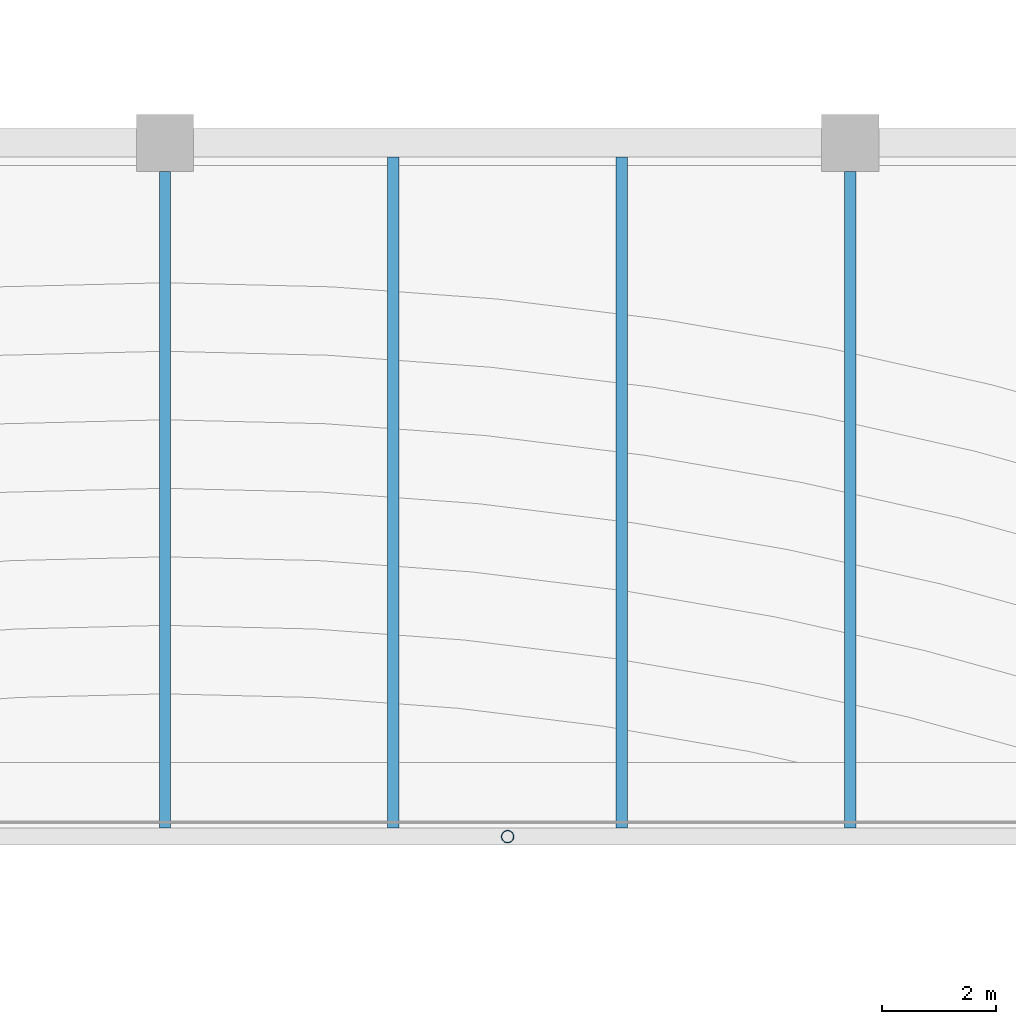
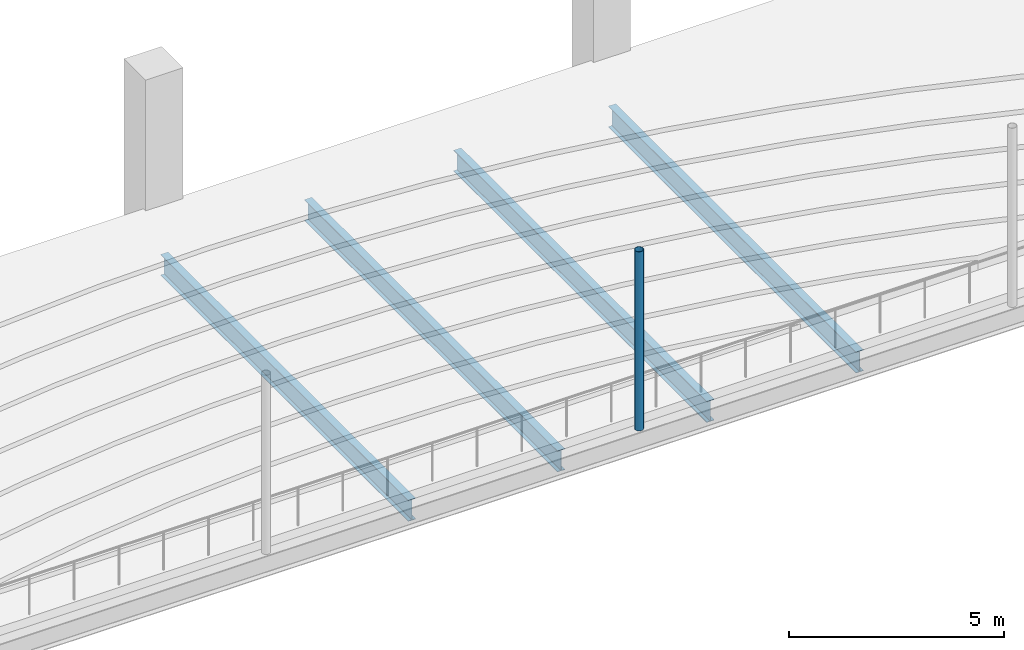
# One storey, part 25 of 69: 4 beams, 1 member.
"""IFC4 building model written with IfcOpenShell, lengths in metres."""

from ifc_helpers import new_model, si_unit, direction, frame, origin, origin_2d, place, context, subcontext, project, spatial, hollow_circle, i_section, extrude, material, material_profile, profile_set, type_object, element, save


model = new_model("IFC4")

# Units and contexts
model_context = context("Model", 3, precision=1e-05, world=origin(), true_north=direction((0.0, 1.0)))
body_context = subcontext(model_context, "Body", "Model", "MODEL_VIEW")
ifc_project = project(units=[si_unit("LENGTHUNIT", "METRE"), si_unit("AREAUNIT", "SQUARE_METRE"), si_unit("VOLUMEUNIT", "CUBIC_METRE"), si_unit("PLANEANGLEUNIT", "RADIAN"), si_unit("MASSUNIT", "GRAM", prefix="KILO")], contexts=[model_context])

# Site, building, storey
site_placement = place(None, origin())
site = spatial("IfcSite", under=ifc_project, at=site_placement, CompositionType="ELEMENT")
building_placement = place(site_placement, origin())
building = spatial("IfcBuilding", under=site, at=building_placement, Name="Lilac Gate Convention Centre", CompositionType="ELEMENT")
storey_placement = place(building_placement, frame((0.0, 0.0, 12.0)))
storey = spatial("IfcBuildingStorey", under=building, at=storey_placement, Name="L02", CompositionType="ELEMENT", Elevation=12.0)

# Beams
ifc_material = material(Name="Steel Q355B", Category="steel")
ifc_material_profile_1 = material_profile(ifc_material, i_section(OverallWidth=0.199951171875, OverallDepth=0.60009765625, WebThickness=0.010986328125, FlangeThickness=0.01708984375, FilletRadius=0.012939453125, at=origin_2d()), Name="HN600x200x11x17")
ifc_profile_set_1 = profile_set([ifc_material_profile_1], Name="Steel Q355B")
beam_type = type_object("IfcBeamType", Name="Balcony beam HN600x200x11x17", PredefinedType="BEAM", material=ifc_profile_set_1)
beam_1_placement = place(storey_placement, frame((54.0, 150.0009765625, -0.550048828125), z_axis=(0.0, 1.0, 0.0), x_axis=(-1.0, 0.0, 0.0)))
element("IfcBeam", 1, at=beam_1_placement, inside=storey, type_object=beam_type, Name="BB2 L02 balcony beam 7", PredefinedType="BEAM", context=body_context, shape_type="SweptSolid", body=[
    extrude(i_section(OverallWidth=0.199951171875, OverallDepth=0.60009765625, WebThickness=0.010986328125, FlangeThickness=0.01708984375, FilletRadius=0.012939453125, at=origin_2d()), origin(), (0.0, 0.0, 1.0), 11.4990234375),
])
for number, where, z_axis, x_axis, name in (
    (2, (58.0, 150.0009765625, -0.550048828125), (0.0, 1.0, 0.0), (-1.0, 0.0, 0.0), "BB2 L02 balcony beam 8"),
    (3, (62.0, 150.0009765625, -0.550048828125), (0.0, 1.0, 0.0), (-1.0, 0.0, 0.0), "BB2 L02 balcony beam 9"),
):
    element("IfcBeam", number, at=place(storey_placement, frame(where, z_axis=z_axis, x_axis=x_axis)), inside=storey, type_object=beam_type, Name=name, PredefinedType="BEAM", context=body_context, shape_type="SweptSolid", body=[
        extrude(i_section(OverallWidth=0.199951171875, OverallDepth=0.60009765625, WebThickness=0.010986328125, FlangeThickness=0.01708984375, FilletRadius=0.012939453125, at=origin_2d()), origin(), (0.0, 0.0, 1.0), 11.7490234375),
    ])
beam_2_placement = place(storey_placement, frame((66.0, 150.0009765625, -0.550048828125), z_axis=(0.0, 1.0, 0.0), x_axis=(-1.0, 0.0, 0.0)))
element("IfcBeam", 4, at=beam_2_placement, inside=storey, type_object=beam_type, Name="BB2 L02 balcony beam 10", PredefinedType="BEAM", context=body_context, shape_type="SweptSolid", body=[
    extrude(i_section(OverallWidth=0.199951171875, OverallDepth=0.60009765625, WebThickness=0.010986328125, FlangeThickness=0.01708984375, FilletRadius=0.012939453125, at=origin_2d()), origin(), (0.0, 0.0, 1.0), 11.4990234375),
])

# Member
ifc_material_profile_2 = material_profile(ifc_material, hollow_circle(Radius=0.109619140625, WallThickness=0.008056640625, at=origin_2d()), Name="CHS219.1x8")
ifc_profile_set_2 = profile_set([ifc_material_profile_2], Name="Steel Q355B")
member_type = type_object("IfcMemberType", Name="Balcony hanger CHS219.1x8", PredefinedType="STRUT", material=ifc_profile_set_2)
member_placement = place(storey_placement, frame((60.0, 149.85009765625, -0.25), z_axis=(0.0, 0.0, 1.0), x_axis=(1.0, 0.0, 0.0)))
element("IfcMember", 5, at=member_placement, inside=storey, type_object=member_type, Name="HG2 L02 balcony hanger 3", PredefinedType="STRUT", context=body_context, shape_type="SweptSolid", body=[
    extrude(hollow_circle(Radius=0.109619140625, WallThickness=0.008056640625, at=origin_2d()), origin(), (0.0, 0.0, 1.0), 5.074951171875),
])

save(model, "model.ifc")
